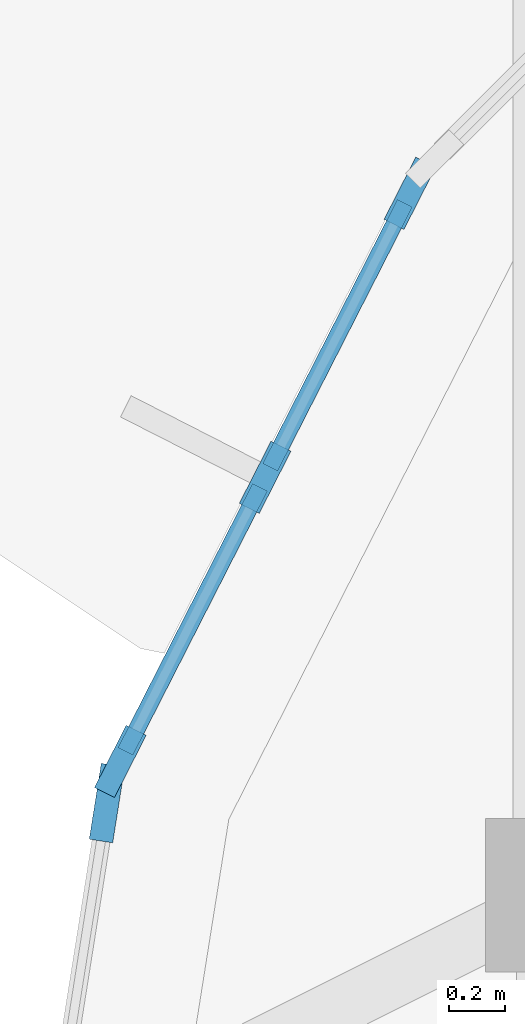
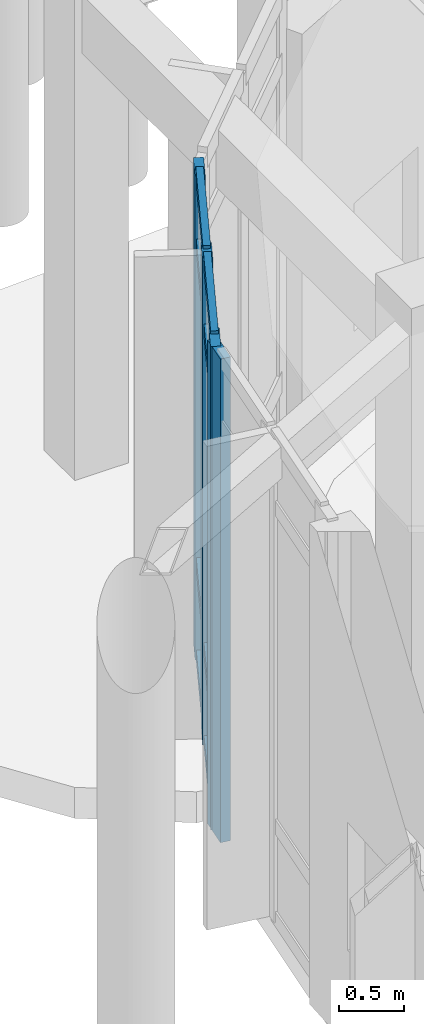
# One storey, part 26 of 120: 12 members, 2 elements without a shape of their own.
"""IFC4 building model written with IfcOpenShell, lengths in metres."""

import ifcopenshell
import ifcopenshell.guid

model = None  # the IFC model being written
_history = None  # IfcOwnerHistory: only IFC2X3 demands one
_inside = {}  # id of a spatial element -> (the spatial element, [elements in it])
_under = {}  # id of a project, library or spatial element -> (it, [spatial elements below it])
_declared = {}  # id of a project -> (the project, [libraries it declares])
_typed = {}  # id of a type object -> (the type object, [elements of that type])
_made_of = {}  # id of a material, layer set ... -> (it, [elements and type objects made of it])


def new_model(schema):
    """Start an empty IFC model of exactly this schema.

    Asked for "IFC4X3", IfcOpenShell would pick the latest addendum, in which some entities
    have other attributes; the version numbers below select the first issue.
    IFC2X3 requires an IfcOwnerHistory on every rooted entity: one is made here for all.
    """
    global model, _history
    if schema == "IFC4X3":
        model = ifcopenshell.file(schema_version=(4, 3, 0, 0))
    else:
        model = ifcopenshell.file(schema=schema)
    _inside.clear()
    _under.clear()
    _declared.clear()
    _typed.clear()
    _made_of.clear()
    _history = None
    if model.schema == "IFC2X3":
        org = make("IfcOrganization", Name="unknown")
        user = make(
            "IfcPersonAndOrganization",
            ThePerson=make("IfcPerson", FamilyName="unknown"),
            TheOrganization=org,
        )
        app = make(
            "IfcApplication",
            ApplicationDeveloper=org,
            Version="unknown",
            ApplicationFullName="unknown",
            ApplicationIdentifier="unknown",
        )
        _history = make(
            "IfcOwnerHistory",
            OwningUser=user,
            OwningApplication=app,
            ChangeAction="ADDED",
            CreationDate=0,
        )
    return model


def make(cls, **values):
    """One entity of the class cls with the attributes given. An attribute that is None is left unset."""
    return model.create_entity(
        cls, **{name: value for name, value in values.items() if value is not None}
    )


def rooted(cls, **values):
    """An entity with a GlobalId (a new one), such as an element, a storey or a relation."""
    return make(cls, GlobalId=ifcopenshell.guid.new(), OwnerHistory=_history, **values)


def si_unit(unit_type, name, prefix=None):
    """IfcSIUnit, for example si_unit("LENGTHUNIT", "METRE", prefix="MILLI")."""
    return make("IfcSIUnit", UnitType=unit_type, Prefix=prefix, Name=name)


def assignment(units):
    """IfcUnitAssignment: the units of a project."""
    return None if units is None else make("IfcUnitAssignment", Units=units)


def point(xyz):
    """IfcCartesianPoint."""
    return None if xyz is None else make("IfcCartesianPoint", Coordinates=xyz)


def direction(xyz):
    """IfcDirection."""
    return None if xyz is None else make("IfcDirection", DirectionRatios=xyz)


def frame(location, z_axis=None, x_axis=None):
    """IfcAxis2Placement3D, a coordinate frame: its origin and axes. An axis left out is left unset."""
    return make(
        "IfcAxis2Placement3D",
        Location=point(location),
        Axis=direction(z_axis),
        RefDirection=direction(x_axis),
    )


def frame_2d(location, x_axis=None):
    """IfcAxis2Placement2D, a coordinate frame in the plane: its origin and x axis."""
    return make(
        "IfcAxis2Placement2D", Location=point(location), RefDirection=direction(x_axis)
    )


def origin():
    """The frame at (0, 0, 0) with its axes left unset."""
    return frame((0.0, 0.0, 0.0))


def origin_2d():
    """The frame at (0, 0) in the plane with its x axis left unset."""
    return frame_2d((0.0, 0.0))


def place(relative_to, where):
    """IfcLocalPlacement: puts the frame where relative to a parent placement (None: the world)."""
    return make(
        "IfcLocalPlacement", PlacementRelTo=relative_to, RelativePlacement=where
    )


def context(
    kind, dimensions, precision=None, world=None, true_north=None, identifier=None
):
    """IfcGeometricRepresentationContext, for example the 3D "Model" context."""
    return make(
        "IfcGeometricRepresentationContext",
        ContextIdentifier=identifier,
        ContextType=kind,
        CoordinateSpaceDimension=dimensions,
        Precision=precision,
        WorldCoordinateSystem=world,
        TrueNorth=true_north,
    )


def subcontext(parent, identifier, kind, view, scale=None):
    """IfcGeometricRepresentationSubContext, for example "Body" below "Model"."""
    return make(
        "IfcGeometricRepresentationSubContext",
        ContextIdentifier=identifier,
        ContextType=kind,
        ParentContext=parent,
        TargetScale=scale,
        TargetView=view,
    )


def project(units=None, contexts=None):
    """IfcProject with its units and contexts."""
    return rooted(
        "IfcProject",
        Name="project",
        RepresentationContexts=contexts,
        UnitsInContext=assignment(units),
    )


def spatial(cls, under=None, at=None, **own):
    """A site, building, storey or space (cls), placed at a placement, below another one or the project."""
    s = rooted(cls, ObjectPlacement=at, **own)
    if under is not None:
        _under.setdefault(under.id(), (under, []))[1].append(s)
    return s


def profile(cls, at=None, kind="AREA", **sizes):
    """A parametric profile (cls). Its sizes go by their IFC names, for example OverallWidth=200.0."""
    return make(cls, ProfileType=kind, Position=at, **sizes)


def rectangle(**sizes):
    """IfcRectangleProfileDef."""
    return profile("IfcRectangleProfileDef", **sizes)


def extrude(swept, where, along, depth):
    """IfcExtrudedAreaSolid: the profile swept, set in the frame where, extruded along a direction by depth."""
    return make(
        "IfcExtrudedAreaSolid",
        SweptArea=swept,
        Position=where,
        ExtrudedDirection=direction(along),
        Depth=depth,
    )


def shape(context_of_items, identifier, shape_type, items):
    """IfcShapeRepresentation: the items that make up one representation, for example the "Body"."""
    return make(
        "IfcShapeRepresentation",
        ContextOfItems=context_of_items,
        RepresentationIdentifier=identifier,
        RepresentationType=shape_type,
        Items=items,
    )


def material(Name=None, Category=None):
    """IfcMaterial."""
    return make("IfcMaterial", Name=Name, Category=Category)


def material_profile(
    of_material, cross_section, Name=None, Category=None, Priority=None
):
    """IfcMaterialProfile: a cross section and its material."""
    return make(
        "IfcMaterialProfile",
        Name=Name,
        Material=of_material,
        Profile=cross_section,
        Priority=Priority,
        Category=Category,
    )


def profile_set(profiles, Name=None, composite=None):
    """IfcMaterialProfileSet."""
    return make(
        "IfcMaterialProfileSet",
        Name=Name,
        MaterialProfiles=profiles,
        CompositeProfile=composite,
    )


def made_of(thing, what):
    """Note that an element or type object is made of a material, layer set ...; save() writes the relation."""
    if what is not None:
        _made_of.setdefault(what.id(), (what, []))[1].append(thing)
    return thing


def type_object(cls, material=None, **own):
    """A type object (cls), such as IfcWallType, which elements share."""
    return made_of(rooted(cls, **own), material)


def element(
    cls,
    number,
    at=None,
    inside=None,
    cuts=None,
    type_object=None,
    material=None,
    context=None,
    identifier="Body",
    shape_type=None,
    held_by="IfcProductDefinitionShape",
    body=None,
    shapes=None,
    **own,
):
    """One element of the class cls, such as IfcWall. Its Tag is "e" and its number.

    at: its placement. inside: the storey or other place that contains it. cuts: it is an
    opening in that element (IfcRelVoidsElement). A single representation is given by context,
    identifier, shape_type and body (its items); several are given by shapes. held_by: the class
    of the entity that holds the representations. save() writes the other relations.
    """
    e = rooted(cls, Tag="e%d" % number, ObjectPlacement=at, **own)
    if body is not None:
        shapes = [shape(context, identifier, shape_type, body)]
    if shapes is not None:
        e.Representation = make(held_by, Representations=shapes)
    if inside is not None:
        _inside.setdefault(inside.id(), (inside, []))[1].append(e)
    if cuts is not None:
        rooted(
            "IfcRelVoidsElement", RelatingBuildingElement=cuts, RelatedOpeningElement=e
        )
    if type_object is not None:
        _typed.setdefault(type_object.id(), (type_object, []))[1].append(e)
    return made_of(e, material)


def aggregate(whole, parts):
    """IfcRelAggregates: a whole, such as a stair, and the parts it consists of."""
    return rooted("IfcRelAggregates", RelatingObject=whole, RelatedObjects=parts)


def save(model, path):
    """Write the relations noted so far, then the file.

    IfcRelAggregates (storeys below a building ...), IfcRelContainedInSpatialStructure (elements
    in a storey), IfcRelDefinesByType, IfcRelAssociatesMaterial and IfcRelDeclares: one each for
    every whole, place, type object, material and project.
    """
    for whole, parts in _under.values():
        aggregate(whole, parts)
    for where, things in _inside.values():
        rooted(
            "IfcRelContainedInSpatialStructure",
            RelatedElements=things,
            RelatingStructure=where,
        )
    for kind, things in _typed.values():
        rooted("IfcRelDefinesByType", RelatedObjects=things, RelatingType=kind)
    for what, things in _made_of.values():
        rooted("IfcRelAssociatesMaterial", RelatedObjects=things, RelatingMaterial=what)
    for by, libraries in _declared.values():
        rooted("IfcRelDeclares", RelatingContext=by, RelatedDefinitions=libraries)
    model.write(path)


model = new_model("IFC4")

# Units and contexts
model_context = context("Model", 3, precision=1e-05, world=origin(), true_north=direction((0.0, 1.0)))
body_context = subcontext(model_context, "Body", "Model", "MODEL_VIEW")
ifc_project = project(units=[si_unit("LENGTHUNIT", "METRE"), si_unit("AREAUNIT", "SQUARE_METRE"), si_unit("VOLUMEUNIT", "CUBIC_METRE"), si_unit("PLANEANGLEUNIT", "RADIAN"), si_unit("MASSUNIT", "GRAM", prefix="KILO")], contexts=[model_context])

# Site, building, storey
site_placement = place(None, origin())
site = spatial("IfcSite", under=ifc_project, at=site_placement, CompositionType="ELEMENT")
building_placement = place(site_placement, origin())
building = spatial("IfcBuilding", under=site, at=building_placement, Name="Corveleigh Park Community Centre", CompositionType="ELEMENT")
storey_placement = place(building_placement, origin())
storey = spatial("IfcBuildingStorey", under=building, at=storey_placement, Name="L00", CompositionType="ELEMENT", Elevation=0.0)

# Curtain wall, members
ifc_material = material(Name="Anodised aluminium 6063-T6", Category="aluminium")
curtain_wall_type = type_object("IfcCurtainWallType", Name="CW-SYS-V3-L00", PredefinedType="NOTDEFINED", material=ifc_material)
curtain_wall_1_placement = place(storey_placement, origin())
curtain_wall_1 = element("IfcCurtainWall", 1, at=curtain_wall_1_placement, inside=storey, type_object=curtain_wall_type, Name="V3 L00 Curtain Wall 101", PredefinedType="NOTDEFINED")
ifc_material_profile_1 = material_profile(ifc_material, rectangle(XDim=0.080078125, YDim=0.25, at=origin_2d()), Name="ALU-M80x250", Category="aluminium")
ifc_profile_set_1 = profile_set([ifc_material_profile_1], Name="Anodised aluminium 6063-T6")
member_type_1 = type_object("IfcMemberType", Name="CWM-80x250", PredefinedType="MULLION", material=ifc_profile_set_1)
member_1_placement = place(storey_placement, frame((70.417236328125, 27.279541015625, 0.0), z_axis=(0.0, 0.0, 1.0), x_axis=(-0.890932984411, 0.45413480079, 0.0)))
member_1 = element("IfcMember", 2, at=member_1_placement, type_object=member_type_1, Name="CW05 mullion 1", PredefinedType="MULLION", context=body_context, shape_type="SweptSolid", body=[
    extrude(rectangle(XDim=0.080078125, YDim=0.25, at=origin_2d()), origin(), (0.0, 0.0, 1.0), 4.537109375),
])
member_2_placement = place(storey_placement, frame((70.93603515625, 28.297607421875, 0.0), z_axis=(0.0, 0.0, 1.0), x_axis=(-0.890932984411, 0.45413480079, 0.0)))
member_2 = element("IfcMember", 3, at=member_2_placement, type_object=member_type_1, Name="CW05 mullion 2", PredefinedType="MULLION", context=body_context, shape_type="SweptSolid", body=[
    extrude(rectangle(XDim=0.080078125, YDim=0.25, at=origin_2d()), origin(), (0.0, 0.0, 1.0), 4.537109375),
])
member_3_placement = place(storey_placement, frame((71.454833984375, 29.3154296875, 0.0), z_axis=(0.0, 0.0, 1.0), x_axis=(-0.890932984411, 0.45413480079, 0.0)))
member_3 = element("IfcMember", 4, at=member_3_placement, type_object=member_type_1, Name="CW05 mullion 3", PredefinedType="MULLION", context=body_context, shape_type="SweptSolid", body=[
    extrude(rectangle(XDim=0.080078125, YDim=0.25, at=origin_2d()), origin(), (0.0, 0.0, 1.0), 4.537109375),
])

# Curtain wall, member
curtain_wall_2_placement = place(storey_placement, origin())
curtain_wall_2 = element("IfcCurtainWall", 5, at=curtain_wall_2_placement, inside=storey, type_object=curtain_wall_type, Name="V3 L00 Curtain Wall 102", PredefinedType="NOTDEFINED")
ifc_material_profile_2 = material_profile(ifc_material, rectangle(XDim=0.0849609375, YDim=0.27490234375, at=origin_2d()), Name="ALU-M85x275", Category="aluminium")
ifc_profile_set_2 = profile_set([ifc_material_profile_2], Name="Anodised aluminium 6063-T6")
member_type_2 = type_object("IfcMemberType", Name="CWM-85x275", PredefinedType="MULLION", material=ifc_profile_set_2)
member_4_placement = place(storey_placement, frame((70.369384765625, 27.130126953125, 0.0), z_axis=(0.0, 0.0, 1.0), x_axis=(-0.98768803972, 0.156436364679, 0.0)))
member_4 = element("IfcMember", 6, at=member_4_placement, type_object=member_type_2, Name="CW05 mullion 3", PredefinedType="MULLION", context=body_context, shape_type="SweptSolid", body=[
    extrude(rectangle(XDim=0.0849609375, YDim=0.27490234375, at=origin_2d()), origin(), (0.0, 0.0, 1.0), 4.537109375),
])
aggregate(curtain_wall_2, [member_4])

# Member
ifc_material_profile_3 = material_profile(ifc_material, rectangle(XDim=0.06005859375, YDim=0.1201171875, at=origin_2d()), Name="ALU-T60x120", Category="aluminium")
ifc_profile_set_3 = profile_set([ifc_material_profile_3], Name="Anodised aluminium 6063-T6")
member_type_3 = type_object("IfcMemberType", Name="CWT-60x120", PredefinedType="USERDEFINED", material=ifc_profile_set_3)
member_5_placement = place(storey_placement, frame((70.435302734375, 27.315185546875, 0.030029296875), z_axis=(0.454001499861, 0.891000919261, 0.0), x_axis=(-0.891000919261, 0.454001499861, 0.0)))
member_5 = element("IfcMember", 7, at=member_5_placement, type_object=member_type_3, Name="CW05 transom 1.1", ObjectType="TRANSOM", PredefinedType="USERDEFINED", context=body_context, shape_type="SweptSolid", body=[
    extrude(rectangle(XDim=0.06005859375, YDim=0.1201171875, at=origin_2d()), origin(), (0.0, 0.0, 1.0), 1.0625),
])

member_6_placement = place(storey_placement, frame((70.435302734375, 27.315185546875, 0.89990234375), z_axis=(0.454001499861, 0.891000919261, 0.0), x_axis=(-0.891000919261, 0.454001499861, 0.0)))
member_6 = element("IfcMember", 8, at=member_6_placement, type_object=member_type_3, Name="CW05 transom 1.2", ObjectType="TRANSOM", PredefinedType="USERDEFINED", context=body_context, shape_type="SweptSolid", body=[
    extrude(rectangle(XDim=0.06005859375, YDim=0.1201171875, at=origin_2d()), origin(), (0.0, 0.0, 1.0), 1.0625),
])

member_7_placement = place(storey_placement, frame((70.435302734375, 27.315185546875, 3.886962890625), z_axis=(0.454001499861, 0.891000919261, 0.0), x_axis=(-0.891000919261, 0.454001499861, 0.0)))
member_7 = element("IfcMember", 9, at=member_7_placement, type_object=member_type_3, Name="CW05 transom 1.3", ObjectType="TRANSOM", PredefinedType="USERDEFINED", context=body_context, shape_type="SweptSolid", body=[
    extrude(rectangle(XDim=0.06005859375, YDim=0.1201171875, at=origin_2d()), origin(), (0.0, 0.0, 1.0), 1.0625),
])

member_8_placement = place(storey_placement, frame((70.435302734375, 27.315185546875, 4.507080078125), z_axis=(0.454001499861, 0.891000919261, 0.0), x_axis=(-0.891000919261, 0.454001499861, 0.0)))
member_8 = element("IfcMember", 10, at=member_8_placement, type_object=member_type_3, Name="CW05 transom 1.4", ObjectType="TRANSOM", PredefinedType="USERDEFINED", context=body_context, shape_type="SweptSolid", body=[
    extrude(rectangle(XDim=0.06005859375, YDim=0.1201171875, at=origin_2d()), origin(), (0.0, 0.0, 1.0), 1.0625),
])

member_9_placement = place(storey_placement, frame((70.9541015625, 28.333251953125, 0.030029296875), z_axis=(0.454276847245, 0.89086056488, 0.0), x_axis=(-0.89086056488, 0.454276847245, 0.0)))
member_9 = element("IfcMember", 11, at=member_9_placement, type_object=member_type_3, Name="CW05 transom 2.1", ObjectType="TRANSOM", PredefinedType="USERDEFINED", context=body_context, shape_type="SweptSolid", body=[
    extrude(rectangle(XDim=0.06005859375, YDim=0.1201171875, at=origin_2d()), origin(), (0.0, 0.0, 1.0), 1.0625),
])

member_10_placement = place(storey_placement, frame((70.9541015625, 28.333251953125, 0.89990234375), z_axis=(0.454276847245, 0.89086056488, 0.0), x_axis=(-0.89086056488, 0.454276847245, 0.0)))
member_10 = element("IfcMember", 12, at=member_10_placement, type_object=member_type_3, Name="CW05 transom 2.2", ObjectType="TRANSOM", PredefinedType="USERDEFINED", context=body_context, shape_type="SweptSolid", body=[
    extrude(rectangle(XDim=0.06005859375, YDim=0.1201171875, at=origin_2d()), origin(), (0.0, 0.0, 1.0), 1.0625),
])

member_11_placement = place(storey_placement, frame((70.9541015625, 28.333251953125, 3.886962890625), z_axis=(0.454276847245, 0.89086056488, 0.0), x_axis=(-0.89086056488, 0.454276847245, 0.0)))
member_11 = element("IfcMember", 13, at=member_11_placement, type_object=member_type_3, Name="CW05 transom 2.3", ObjectType="TRANSOM", PredefinedType="USERDEFINED", context=body_context, shape_type="SweptSolid", body=[
    extrude(rectangle(XDim=0.06005859375, YDim=0.1201171875, at=origin_2d()), origin(), (0.0, 0.0, 1.0), 1.0625),
])

member_12_placement = place(storey_placement, frame((70.9541015625, 28.333251953125, 4.507080078125), z_axis=(0.454276847245, 0.89086056488, 0.0), x_axis=(-0.89086056488, 0.454276847245, 0.0)))
member_12 = element("IfcMember", 14, at=member_12_placement, type_object=member_type_3, Name="CW05 transom 2.4", ObjectType="TRANSOM", PredefinedType="USERDEFINED", context=body_context, shape_type="SweptSolid", body=[
    extrude(rectangle(XDim=0.06005859375, YDim=0.1201171875, at=origin_2d()), origin(), (0.0, 0.0, 1.0), 1.0625),
])

aggregate(curtain_wall_1, [member_1, member_2, member_3, member_5, member_6, member_7, member_8, member_9, member_10, member_11, member_12])

save(model, "model.ifc")
